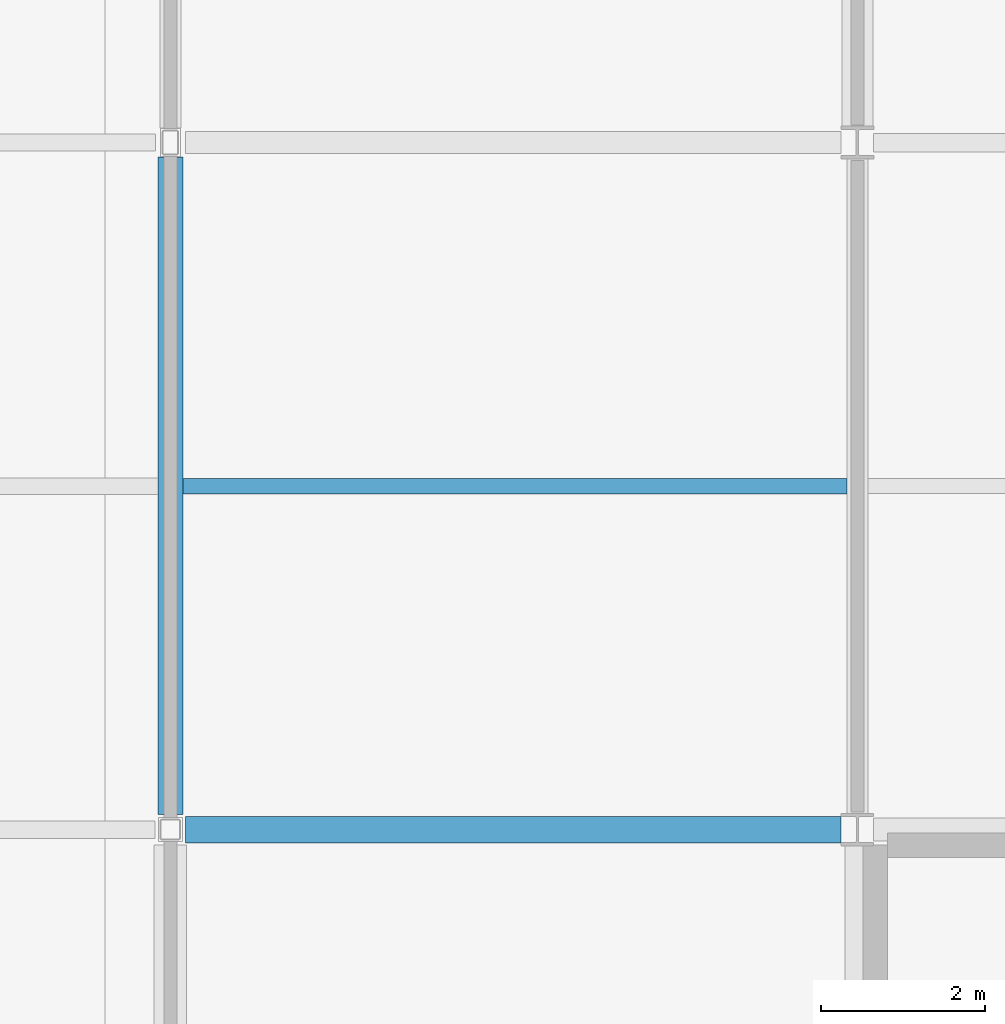
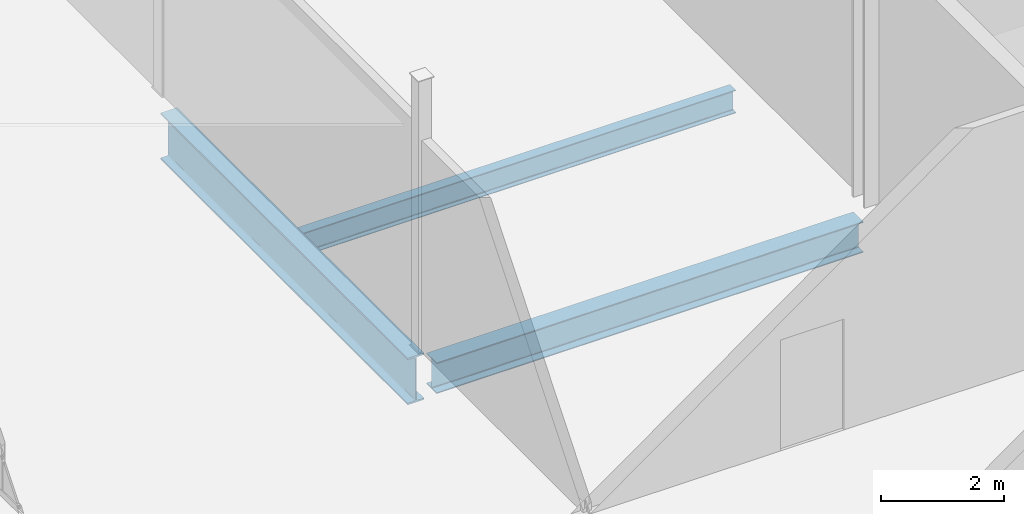
# One storey, part 59 of 229: 3 beams.
"""IFC4 building model written with IfcOpenShell, lengths in metres."""

from ifc_helpers import new_model, si_unit, direction, frame, origin, origin_2d, place, context, subcontext, project, spatial, i_section, extrude, material, material_profile, profile_set, type_object, element, save


model = new_model("IFC4")

# Units and contexts
model_context = context("Model", 3, precision=1e-05, world=origin(), true_north=direction((0.0, 1.0)))
body_context = subcontext(model_context, "Body", "Model", "MODEL_VIEW")
ifc_project = project(units=[si_unit("LENGTHUNIT", "METRE"), si_unit("AREAUNIT", "SQUARE_METRE"), si_unit("VOLUMEUNIT", "CUBIC_METRE"), si_unit("PLANEANGLEUNIT", "RADIAN"), si_unit("MASSUNIT", "GRAM", prefix="KILO")], contexts=[model_context])

# Site, building, storey
site_placement = place(None, origin())
site = spatial("IfcSite", under=ifc_project, at=site_placement, CompositionType="ELEMENT")
building_placement = place(site_placement, origin())
building = spatial("IfcBuilding", under=site, at=building_placement, Name="Calvrana Isthmian Art Gallery", CompositionType="ELEMENT")
storey_placement = place(building_placement, origin())
storey = spatial("IfcBuildingStorey", under=building, at=storey_placement, Name="L00", CompositionType="ELEMENT", Elevation=0.0)

# Beams
ifc_material = material(Name="Steel ASTM A992 Gr 50", Category="steel")
ifc_material_profile_1 = material_profile(ifc_material, i_section(OverallWidth=0.324951171875, OverallDepth=0.612060546875, WebThickness=0.0126953125, FlangeThickness=0.01904296875, FilletRadius=0.02197265625, at=origin_2d()), Name="W24X104")
ifc_profile_set_1 = profile_set([ifc_material_profile_1], Name="Steel ASTM A992 Gr 50")
beam_type_1 = type_object("IfcBeamType", Name="BM-G-W24X104", PredefinedType="BEAM", material=ifc_profile_set_1)
beam_1_placement = place(storey_placement, frame((104.58642578125, 30.0, -0.591064453125), z_axis=(1.0, 0.0, 0.0), x_axis=(0.0, 1.0, 0.0)))
element("IfcBeam", 1, at=beam_1_placement, inside=storey, type_object=beam_type_1, Name="Girder X L00 14-15/E", PredefinedType="BEAM", context=body_context, shape_type="SweptSolid", body=[
    extrude(i_section(OverallWidth=0.324951171875, OverallDepth=0.612060546875, WebThickness=0.0126953125, FlangeThickness=0.01904296875, FilletRadius=0.02197265625, at=origin_2d()), origin(), (0.0, 0.0, 1.0), 8.01416015625),
])
ifc_material_profile_2 = material_profile(ifc_material, i_section(OverallWidth=0.306884765625, OverallDepth=0.927001953125, WebThickness=0.019287109375, FlangeThickness=0.031982421875, FilletRadius=0.028076171875, at=origin_2d()), Name="W36X194")
ifc_profile_set_2 = profile_set([ifc_material_profile_2], Name="Steel ASTM A992 Gr 50")
beam_type_2 = type_object("IfcBeamType", Name="BM-G-W36X194", PredefinedType="BEAM", material=ifc_profile_set_2)
beam_2_placement = place(storey_placement, frame((104.39990234375, 30.1865234375, -0.74853515625), z_axis=(0.0, 1.0, 0.0), x_axis=(-1.0, 0.0, 0.0)))
element("IfcBeam", 2, at=beam_2_placement, inside=storey, type_object=beam_type_2, Name="Girder Y L00 14/E-F", PredefinedType="BEAM", context=body_context, shape_type="SweptSolid", body=[
    extrude(i_section(OverallWidth=0.306884765625, OverallDepth=0.927001953125, WebThickness=0.019287109375, FlangeThickness=0.031982421875, FilletRadius=0.028076171875, at=origin_2d()), origin(), (0.0, 0.0, 1.0), 8.035400390625),
])
ifc_material_profile_3 = material_profile(ifc_material, i_section(OverallWidth=0.19091796875, OverallDepth=0.45703125, WebThickness=0.009033203125, FlangeThickness=0.014404296875, FilletRadius=0.02001953125, at=origin_2d()), Name="W18X50")
ifc_profile_set_3 = profile_set([ifc_material_profile_3], Name="Steel ASTM A992 Gr 50")
beam_type_3 = type_object("IfcBeamType", Name="BM-J-W18X50", PredefinedType="JOIST", material=ifc_profile_set_3)
beam_3_placement = place(storey_placement, frame((104.553466796875, 34.199951171875, -0.513427734375), z_axis=(1.0, 0.0, 0.0), x_axis=(0.0, 1.0, 0.0)))
element("IfcBeam", 3, at=beam_3_placement, inside=storey, type_object=beam_type_3, Name="Composite joist L00 bay 13-04", PredefinedType="JOIST", context=body_context, shape_type="SweptSolid", body=[
    extrude(i_section(OverallWidth=0.19091796875, OverallDepth=0.45703125, WebThickness=0.009033203125, FlangeThickness=0.014404296875, FilletRadius=0.02001953125, at=origin_2d()), origin(), (0.0, 0.0, 1.0), 8.117919921875),
])

save(model, "model.ifc")
